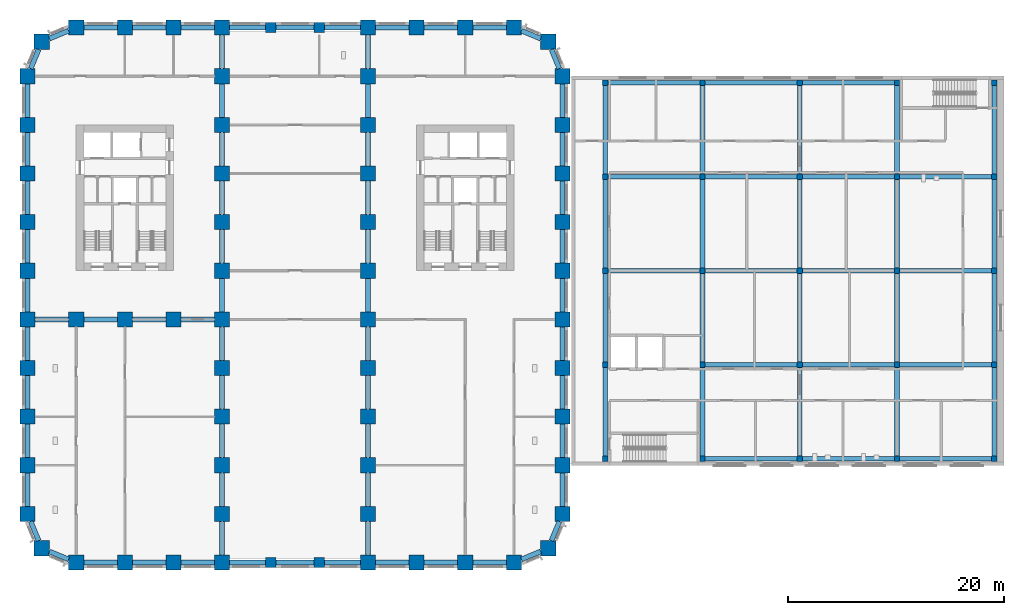
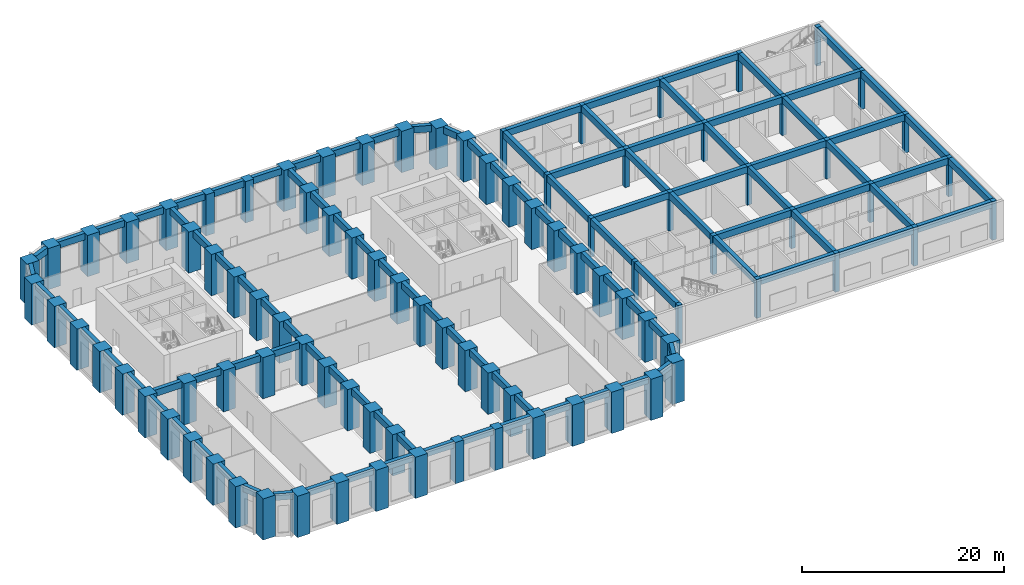
# One storey, part 1 of 19: 107 beams, 92 columns.
"""IFC4 building model written with IfcOpenShell, lengths in metres."""

import ifcopenshell
import ifcopenshell.guid

model = None  # the IFC model being written
_history = None  # IfcOwnerHistory: only IFC2X3 demands one
_inside = {}  # id of a spatial element -> (the spatial element, [elements in it])
_under = {}  # id of a project, library or spatial element -> (it, [spatial elements below it])
_declared = {}  # id of a project -> (the project, [libraries it declares])
_typed = {}  # id of a type object -> (the type object, [elements of that type])
_made_of = {}  # id of a material, layer set ... -> (it, [elements and type objects made of it])


def new_model(schema):
    """Start an empty IFC model of exactly this schema.

    Asked for "IFC4X3", IfcOpenShell would pick the latest addendum, in which some entities
    have other attributes; the version numbers below select the first issue.
    IFC2X3 requires an IfcOwnerHistory on every rooted entity: one is made here for all.
    """
    global model, _history
    if schema == "IFC4X3":
        model = ifcopenshell.file(schema_version=(4, 3, 0, 0))
    else:
        model = ifcopenshell.file(schema=schema)
    _inside.clear()
    _under.clear()
    _declared.clear()
    _typed.clear()
    _made_of.clear()
    _history = None
    if model.schema == "IFC2X3":
        org = make("IfcOrganization", Name="unknown")
        user = make(
            "IfcPersonAndOrganization",
            ThePerson=make("IfcPerson", FamilyName="unknown"),
            TheOrganization=org,
        )
        app = make(
            "IfcApplication",
            ApplicationDeveloper=org,
            Version="unknown",
            ApplicationFullName="unknown",
            ApplicationIdentifier="unknown",
        )
        _history = make(
            "IfcOwnerHistory",
            OwningUser=user,
            OwningApplication=app,
            ChangeAction="ADDED",
            CreationDate=0,
        )
    return model


def make(cls, **values):
    """One entity of the class cls with the attributes given. An attribute that is None is left unset."""
    return model.create_entity(
        cls, **{name: value for name, value in values.items() if value is not None}
    )


def rooted(cls, **values):
    """An entity with a GlobalId (a new one), such as an element, a storey or a relation."""
    return make(cls, GlobalId=ifcopenshell.guid.new(), OwnerHistory=_history, **values)


def si_unit(unit_type, name, prefix=None):
    """IfcSIUnit, for example si_unit("LENGTHUNIT", "METRE", prefix="MILLI")."""
    return make("IfcSIUnit", UnitType=unit_type, Prefix=prefix, Name=name)


def assignment(units):
    """IfcUnitAssignment: the units of a project."""
    return None if units is None else make("IfcUnitAssignment", Units=units)


def point(xyz):
    """IfcCartesianPoint."""
    return None if xyz is None else make("IfcCartesianPoint", Coordinates=xyz)


def direction(xyz):
    """IfcDirection."""
    return None if xyz is None else make("IfcDirection", DirectionRatios=xyz)


def frame(location, z_axis=None, x_axis=None):
    """IfcAxis2Placement3D, a coordinate frame: its origin and axes. An axis left out is left unset."""
    return make(
        "IfcAxis2Placement3D",
        Location=point(location),
        Axis=direction(z_axis),
        RefDirection=direction(x_axis),
    )


def frame_2d(location, x_axis=None):
    """IfcAxis2Placement2D, a coordinate frame in the plane: its origin and x axis."""
    return make(
        "IfcAxis2Placement2D", Location=point(location), RefDirection=direction(x_axis)
    )


def origin():
    """The frame at (0, 0, 0) with its axes left unset."""
    return frame((0.0, 0.0, 0.0))


def origin_2d():
    """The frame at (0, 0) in the plane with its x axis left unset."""
    return frame_2d((0.0, 0.0))


def place(relative_to, where):
    """IfcLocalPlacement: puts the frame where relative to a parent placement (None: the world)."""
    return make(
        "IfcLocalPlacement", PlacementRelTo=relative_to, RelativePlacement=where
    )


def context(
    kind, dimensions, precision=None, world=None, true_north=None, identifier=None
):
    """IfcGeometricRepresentationContext, for example the 3D "Model" context."""
    return make(
        "IfcGeometricRepresentationContext",
        ContextIdentifier=identifier,
        ContextType=kind,
        CoordinateSpaceDimension=dimensions,
        Precision=precision,
        WorldCoordinateSystem=world,
        TrueNorth=true_north,
    )


def subcontext(parent, identifier, kind, view, scale=None):
    """IfcGeometricRepresentationSubContext, for example "Body" below "Model"."""
    return make(
        "IfcGeometricRepresentationSubContext",
        ContextIdentifier=identifier,
        ContextType=kind,
        ParentContext=parent,
        TargetScale=scale,
        TargetView=view,
    )


def project(units=None, contexts=None):
    """IfcProject with its units and contexts."""
    return rooted(
        "IfcProject",
        Name="project",
        RepresentationContexts=contexts,
        UnitsInContext=assignment(units),
    )


def spatial(cls, under=None, at=None, **own):
    """A site, building, storey or space (cls), placed at a placement, below another one or the project."""
    s = rooted(cls, ObjectPlacement=at, **own)
    if under is not None:
        _under.setdefault(under.id(), (under, []))[1].append(s)
    return s


def profile(cls, at=None, kind="AREA", **sizes):
    """A parametric profile (cls). Its sizes go by their IFC names, for example OverallWidth=200.0."""
    return make(cls, ProfileType=kind, Position=at, **sizes)


def rectangle(**sizes):
    """IfcRectangleProfileDef."""
    return profile("IfcRectangleProfileDef", **sizes)


def extrude(swept, where, along, depth):
    """IfcExtrudedAreaSolid: the profile swept, set in the frame where, extruded along a direction by depth."""
    return make(
        "IfcExtrudedAreaSolid",
        SweptArea=swept,
        Position=where,
        ExtrudedDirection=direction(along),
        Depth=depth,
    )


def shape(context_of_items, identifier, shape_type, items):
    """IfcShapeRepresentation: the items that make up one representation, for example the "Body"."""
    return make(
        "IfcShapeRepresentation",
        ContextOfItems=context_of_items,
        RepresentationIdentifier=identifier,
        RepresentationType=shape_type,
        Items=items,
    )


def material(Name=None, Category=None):
    """IfcMaterial."""
    return make("IfcMaterial", Name=Name, Category=Category)


def material_profile(
    of_material, cross_section, Name=None, Category=None, Priority=None
):
    """IfcMaterialProfile: a cross section and its material."""
    return make(
        "IfcMaterialProfile",
        Name=Name,
        Material=of_material,
        Profile=cross_section,
        Priority=Priority,
        Category=Category,
    )


def profile_set(profiles, Name=None, composite=None):
    """IfcMaterialProfileSet."""
    return make(
        "IfcMaterialProfileSet",
        Name=Name,
        MaterialProfiles=profiles,
        CompositeProfile=composite,
    )


def made_of(thing, what):
    """Note that an element or type object is made of a material, layer set ...; save() writes the relation."""
    if what is not None:
        _made_of.setdefault(what.id(), (what, []))[1].append(thing)
    return thing


def type_object(cls, material=None, **own):
    """A type object (cls), such as IfcWallType, which elements share."""
    return made_of(rooted(cls, **own), material)


def element(
    cls,
    number,
    at=None,
    inside=None,
    cuts=None,
    type_object=None,
    material=None,
    context=None,
    identifier="Body",
    shape_type=None,
    held_by="IfcProductDefinitionShape",
    body=None,
    shapes=None,
    **own,
):
    """One element of the class cls, such as IfcWall. Its Tag is "e" and its number.

    at: its placement. inside: the storey or other place that contains it. cuts: it is an
    opening in that element (IfcRelVoidsElement). A single representation is given by context,
    identifier, shape_type and body (its items); several are given by shapes. held_by: the class
    of the entity that holds the representations. save() writes the other relations.
    """
    e = rooted(cls, Tag="e%d" % number, ObjectPlacement=at, **own)
    if body is not None:
        shapes = [shape(context, identifier, shape_type, body)]
    if shapes is not None:
        e.Representation = make(held_by, Representations=shapes)
    if inside is not None:
        _inside.setdefault(inside.id(), (inside, []))[1].append(e)
    if cuts is not None:
        rooted(
            "IfcRelVoidsElement", RelatingBuildingElement=cuts, RelatedOpeningElement=e
        )
    if type_object is not None:
        _typed.setdefault(type_object.id(), (type_object, []))[1].append(e)
    return made_of(e, material)


def aggregate(whole, parts):
    """IfcRelAggregates: a whole, such as a stair, and the parts it consists of."""
    return rooted("IfcRelAggregates", RelatingObject=whole, RelatedObjects=parts)


def save(model, path):
    """Write the relations noted so far, then the file.

    IfcRelAggregates (storeys below a building ...), IfcRelContainedInSpatialStructure (elements
    in a storey), IfcRelDefinesByType, IfcRelAssociatesMaterial and IfcRelDeclares: one each for
    every whole, place, type object, material and project.
    """
    for whole, parts in _under.values():
        aggregate(whole, parts)
    for where, things in _inside.values():
        rooted(
            "IfcRelContainedInSpatialStructure",
            RelatedElements=things,
            RelatingStructure=where,
        )
    for kind, things in _typed.values():
        rooted("IfcRelDefinesByType", RelatedObjects=things, RelatingType=kind)
    for what, things in _made_of.values():
        rooted("IfcRelAssociatesMaterial", RelatedObjects=things, RelatingMaterial=what)
    for by, libraries in _declared.values():
        rooted("IfcRelDeclares", RelatingContext=by, RelatedDefinitions=libraries)
    model.write(path)


model = new_model("IFC4")

# Units and contexts
model_context = context("Model", 3, precision=1e-05, world=origin(), true_north=direction((0.0, 1.0)))
body_context = subcontext(model_context, "Body", "Model", "MODEL_VIEW")
ifc_project = project(units=[si_unit("LENGTHUNIT", "METRE"), si_unit("AREAUNIT", "SQUARE_METRE"), si_unit("VOLUMEUNIT", "CUBIC_METRE"), si_unit("PLANEANGLEUNIT", "RADIAN"), si_unit("MASSUNIT", "GRAM", prefix="KILO")], contexts=[model_context])

# Site, building, storey
site_placement = place(None, origin())
site = spatial("IfcSite", under=ifc_project, at=site_placement, CompositionType="ELEMENT")
building_placement = place(site_placement, origin())
building = spatial("IfcBuilding", under=site, at=building_placement, Name="Girih Gate Residences", CompositionType="ELEMENT")
storey_placement = place(building_placement, frame((0.0, 0.0, 21.0)))
storey = spatial("IfcBuildingStorey", under=building, at=storey_placement, Name="L04", CompositionType="ELEMENT", Elevation=21.0)

# Columns
ifc_material_1 = material(Name="Concrete C50/60", Category="concrete")
ifc_material_profile_1 = material_profile(ifc_material_1, rectangle(XDim=0.5, YDim=0.5, at=origin_2d()))
ifc_profile_set_1 = profile_set([ifc_material_profile_1], Name="Concrete C50/60")
column_type_1 = type_object("IfcColumnType", Name="HC Column 500x500 C50/60", PredefinedType="COLUMN", material=ifc_profile_set_1)
for number, where, z_axis, x_axis, name in (
    (1, (53.449951171875, 9.60009765625, 0.0), (0.0, 0.0, 1.0), (1.0, 0.0, 0.0), "L04 column H1/HA"),
    (2, (53.449951171875, 18.300048828125, 0.0), (0.0, 0.0, 1.0), (1.0, 0.0, 0.0), "L04 column H1/HB"),
    (3, (53.449951171875, 27.0, 0.0), (0.0, 0.0, 1.0), (1.0, 0.0, 0.0), "L04 column H1/HC"),
    (4, (53.449951171875, 35.699951171875, 0.0), (0.0, 0.0, 1.0), (1.0, 0.0, 0.0), "L04 column H1/HD"),
    (5, (53.449951171875, 44.39990234375, 0.0), (0.0, 0.0, 1.0), (1.0, 0.0, 0.0), "L04 column H1/HE"),
    (6, (62.449951171875, 9.60009765625, 0.0), (0.0, 0.0, 1.0), (1.0, 0.0, 0.0), "L04 column H2/HA"),
    (7, (62.449951171875, 18.300048828125, 0.0), (0.0, 0.0, 1.0), (1.0, 0.0, 0.0), "L04 column H2/HB"),
    (8, (62.449951171875, 27.0, 0.0), (0.0, 0.0, 1.0), (1.0, 0.0, 0.0), "L04 column H2/HC"),
    (9, (62.449951171875, 35.699951171875, 0.0), (0.0, 0.0, 1.0), (1.0, 0.0, 0.0), "L04 column H2/HD"),
    (10, (62.449951171875, 44.39990234375, 0.0), (0.0, 0.0, 1.0), (1.0, 0.0, 0.0), "L04 column H2/HE"),
    (11, (71.449951171875, 9.60009765625, 0.0), (0.0, 0.0, 1.0), (1.0, 0.0, 0.0), "L04 column H3/HA"),
    (12, (71.449951171875, 18.300048828125, 0.0), (0.0, 0.0, 1.0), (1.0, 0.0, 0.0), "L04 column H3/HB"),
    (13, (71.449951171875, 27.0, 0.0), (0.0, 0.0, 1.0), (1.0, 0.0, 0.0), "L04 column H3/HC"),
    (14, (71.449951171875, 35.699951171875, 0.0), (0.0, 0.0, 1.0), (1.0, 0.0, 0.0), "L04 column H3/HD"),
    (15, (71.449951171875, 44.39990234375, 0.0), (0.0, 0.0, 1.0), (1.0, 0.0, 0.0), "L04 column H3/HE"),
    (16, (80.449951171875, 9.60009765625, 0.0), (0.0, 0.0, 1.0), (1.0, 0.0, 0.0), "L04 column H4/HA"),
    (17, (80.449951171875, 18.300048828125, 0.0), (0.0, 0.0, 1.0), (1.0, 0.0, 0.0), "L04 column H4/HB"),
    (18, (80.449951171875, 27.0, 0.0), (0.0, 0.0, 1.0), (1.0, 0.0, 0.0), "L04 column H4/HC"),
    (19, (80.449951171875, 35.699951171875, 0.0), (0.0, 0.0, 1.0), (1.0, 0.0, 0.0), "L04 column H4/HD"),
    (20, (80.449951171875, 44.39990234375, 0.0), (0.0, 0.0, 1.0), (1.0, 0.0, 0.0), "L04 column H4/HE"),
    (21, (89.449951171875, 9.60009765625, 0.0), (0.0, 0.0, 1.0), (1.0, 0.0, 0.0), "L04 column H5/HA"),
    (22, (89.449951171875, 18.300048828125, 0.0), (0.0, 0.0, 1.0), (1.0, 0.0, 0.0), "L04 column H5/HB"),
    (23, (89.449951171875, 27.0, 0.0), (0.0, 0.0, 1.0), (1.0, 0.0, 0.0), "L04 column H5/HC"),
    (24, (89.449951171875, 35.699951171875, 0.0), (0.0, 0.0, 1.0), (1.0, 0.0, 0.0), "L04 column H5/HD"),
    (25, (89.449951171875, 44.39990234375, 0.0), (0.0, 0.0, 1.0), (1.0, 0.0, 0.0), "L04 column H5/HE"),
):
    element("IfcColumn", number, at=place(storey_placement, frame(where, z_axis=z_axis, x_axis=x_axis)), inside=storey, type_object=column_type_1, Name=name, PredefinedType="COLUMN", context=body_context, shape_type="SweptSolid", body=[
        extrude(rectangle(XDim=0.5, YDim=0.5, at=origin_2d()), origin(), (0.0, 0.0, 1.0), 4.699951171875),
    ])
ifc_material_2 = material(Name="Concrete C80/95", Category="concrete")
ifc_material_profile_2 = material_profile(ifc_material_2, rectangle(XDim=1.39990234375, YDim=1.39990234375, at=origin_2d()))
ifc_profile_set_2 = profile_set([ifc_material_profile_2], Name="Concrete C80/95")
column_type_2 = type_object("IfcColumnType", Name="Pier RC 1400x1400 Concrete C80/95", PredefinedType="COLUMN", material=ifc_profile_set_2)
for number, where, z_axis, x_axis, name in (
    (26, (4.5, 0.0, 0.0), (0.0, 0.0, 1.0), (1.0, 0.0, 0.0), "Pier P2A L04"),
    (27, (9.0, 0.0, 0.0), (0.0, 0.0, 1.0), (1.0, 0.0, 0.0), "Pier P3A L04"),
    (28, (13.5, 0.0, 0.0), (0.0, 0.0, 1.0), (1.0, 0.0, 0.0), "Pier P4A L04"),
    (29, (18.0, 0.0, 0.0), (0.0, 0.0, 1.0), (1.0, 0.0, 0.0), "Pier P5A L04"),
    (30, (31.5, 0.0, 0.0), (0.0, 0.0, 1.0), (1.0, 0.0, 0.0), "Pier P8A L04"),
    (31, (36.0, 0.0, 0.0), (0.0, 0.0, 1.0), (1.0, 0.0, 0.0), "Pier P9A L04"),
    (32, (40.5, 0.0, 0.0), (0.0, 0.0, 1.0), (1.0, 0.0, 0.0), "Pier P10A L04"),
    (33, (45.0, 0.0, 0.0), (0.0, 0.0, 1.0), (1.0, 0.0, 0.0), "Pier P11A L04"),
    (34, (1.318115234375, 1.318115234375, 0.0), (0.0, 0.0, 1.0), (1.0, 0.0, 0.0), "Pier P1ANE L04"),
    (35, (48.181884765625, 1.318115234375, 0.0), (0.0, 0.0, 1.0), (1.0, 0.0, 0.0), "Pier P12ANW L04"),
    (36, (0.0, 4.5, 0.0), (0.0, 0.0, 1.0), (1.0, 0.0, 0.0), "Pier P1B L04"),
    (37, (18.0, 4.5, 0.0), (0.0, 0.0, 1.0), (1.0, 0.0, 0.0), "Pier P5B L04"),
    (38, (31.5, 4.5, 0.0), (0.0, 0.0, 1.0), (1.0, 0.0, 0.0), "Pier P8B L04"),
    (39, (49.5, 4.5, 0.0), (0.0, 0.0, 1.0), (1.0, 0.0, 0.0), "Pier P12B L04"),
    (40, (0.0, 9.0, 0.0), (0.0, 0.0, 1.0), (1.0, 0.0, 0.0), "Pier P1C L04"),
    (41, (18.0, 9.0, 0.0), (0.0, 0.0, 1.0), (1.0, 0.0, 0.0), "Pier P5C L04"),
    (42, (31.5, 9.0, 0.0), (0.0, 0.0, 1.0), (1.0, 0.0, 0.0), "Pier P8C L04"),
    (43, (49.5, 9.0, 0.0), (0.0, 0.0, 1.0), (1.0, 0.0, 0.0), "Pier P12C L04"),
    (44, (0.0, 13.5, 0.0), (0.0, 0.0, 1.0), (1.0, 0.0, 0.0), "Pier P1D L04"),
    (45, (18.0, 13.5, 0.0), (0.0, 0.0, 1.0), (1.0, 0.0, 0.0), "Pier P5D L04"),
    (46, (31.5, 13.5, 0.0), (0.0, 0.0, 1.0), (1.0, 0.0, 0.0), "Pier P8D L04"),
    (47, (49.5, 13.5, 0.0), (0.0, 0.0, 1.0), (1.0, 0.0, 0.0), "Pier P12D L04"),
    (48, (0.0, 18.0, 0.0), (0.0, 0.0, 1.0), (1.0, 0.0, 0.0), "Pier P1E L04"),
    (49, (18.0, 18.0, 0.0), (0.0, 0.0, 1.0), (1.0, 0.0, 0.0), "Pier P5E L04"),
    (50, (31.5, 18.0, 0.0), (0.0, 0.0, 1.0), (1.0, 0.0, 0.0), "Pier P8E L04"),
    (51, (49.5, 18.0, 0.0), (0.0, 0.0, 1.0), (1.0, 0.0, 0.0), "Pier P12E L04"),
    (52, (0.0, 22.5, 0.0), (0.0, 0.0, 1.0), (1.0, 0.0, 0.0), "Pier P1F L04"),
    (53, (4.5, 22.5, 0.0), (0.0, 0.0, 1.0), (1.0, 0.0, 0.0), "Pier P2F L04"),
    (54, (9.0, 22.5, 0.0), (0.0, 0.0, 1.0), (1.0, 0.0, 0.0), "Pier P3F L04"),
    (55, (13.5, 22.5, 0.0), (0.0, 0.0, 1.0), (1.0, 0.0, 0.0), "Pier P4F L04"),
    (56, (18.0, 22.5, 0.0), (0.0, 0.0, 1.0), (1.0, 0.0, 0.0), "Pier P5F L04"),
    (57, (31.5, 22.5, 0.0), (0.0, 0.0, 1.0), (1.0, 0.0, 0.0), "Pier P8F L04"),
    (58, (49.5, 22.5, 0.0), (0.0, 0.0, 1.0), (1.0, 0.0, 0.0), "Pier P12F L04"),
    (59, (0.0, 27.0, 0.0), (0.0, 0.0, 1.0), (1.0, 0.0, 0.0), "Pier P1G L04"),
    (60, (18.0, 27.0, 0.0), (0.0, 0.0, 1.0), (1.0, 0.0, 0.0), "Pier P5G L04"),
    (61, (31.5, 27.0, 0.0), (0.0, 0.0, 1.0), (1.0, 0.0, 0.0), "Pier P8G L04"),
    (62, (49.5, 27.0, 0.0), (0.0, 0.0, 1.0), (1.0, 0.0, 0.0), "Pier P12G L04"),
    (63, (0.0, 31.5, 0.0), (0.0, 0.0, 1.0), (1.0, 0.0, 0.0), "Pier P1H L04"),
    (64, (18.0, 31.5, 0.0), (0.0, 0.0, 1.0), (1.0, 0.0, 0.0), "Pier P5H L04"),
    (65, (31.5, 31.5, 0.0), (0.0, 0.0, 1.0), (1.0, 0.0, 0.0), "Pier P8H L04"),
    (66, (49.5, 31.5, 0.0), (0.0, 0.0, 1.0), (1.0, 0.0, 0.0), "Pier P12H L04"),
    (67, (0.0, 36.0, 0.0), (0.0, 0.0, 1.0), (1.0, 0.0, 0.0), "Pier P1I L04"),
    (68, (18.0, 36.0, 0.0), (0.0, 0.0, 1.0), (1.0, 0.0, 0.0), "Pier P5I L04"),
    (69, (31.5, 36.0, 0.0), (0.0, 0.0, 1.0), (1.0, 0.0, 0.0), "Pier P8I L04"),
    (70, (49.5, 36.0, 0.0), (0.0, 0.0, 1.0), (1.0, 0.0, 0.0), "Pier P12I L04"),
    (71, (0.0, 40.5, 0.0), (0.0, 0.0, 1.0), (1.0, 0.0, 0.0), "Pier P1J L04"),
    (72, (18.0, 40.5, 0.0), (0.0, 0.0, 1.0), (1.0, 0.0, 0.0), "Pier P5J L04"),
    (73, (31.5, 40.5, 0.0), (0.0, 0.0, 1.0), (1.0, 0.0, 0.0), "Pier P8J L04"),
    (74, (49.5, 40.5, 0.0), (0.0, 0.0, 1.0), (1.0, 0.0, 0.0), "Pier P12J L04"),
    (75, (0.0, 45.0, 0.0), (0.0, 0.0, 1.0), (1.0, 0.0, 0.0), "Pier P1K L04"),
    (76, (18.0, 45.0, 0.0), (0.0, 0.0, 1.0), (1.0, 0.0, 0.0), "Pier P5K L04"),
    (77, (31.5, 45.0, 0.0), (0.0, 0.0, 1.0), (1.0, 0.0, 0.0), "Pier P8K L04"),
    (78, (49.5, 45.0, 0.0), (0.0, 0.0, 1.0), (1.0, 0.0, 0.0), "Pier P12K L04"),
    (79, (1.318115234375, 48.181884765625, 0.0), (0.0, 0.0, 1.0), (1.0, 0.0, 0.0), "Pier P1LSE L04"),
    (80, (48.181884765625, 48.181884765625, 0.0), (0.0, 0.0, 1.0), (1.0, 0.0, 0.0), "Pier P12LSW L04"),
    (81, (4.5, 49.5, 0.0), (0.0, 0.0, 1.0), (1.0, 0.0, 0.0), "Pier P2L L04"),
    (82, (9.0, 49.5, 0.0), (0.0, 0.0, 1.0), (1.0, 0.0, 0.0), "Pier P3L L04"),
    (83, (13.5, 49.5, 0.0), (0.0, 0.0, 1.0), (1.0, 0.0, 0.0), "Pier P4L L04"),
    (84, (18.0, 49.5, 0.0), (0.0, 0.0, 1.0), (1.0, 0.0, 0.0), "Pier P5L L04"),
    (85, (31.5, 49.5, 0.0), (0.0, 0.0, 1.0), (1.0, 0.0, 0.0), "Pier P8L L04"),
    (86, (36.0, 49.5, 0.0), (0.0, 0.0, 1.0), (1.0, 0.0, 0.0), "Pier P9L L04"),
    (87, (40.5, 49.5, 0.0), (0.0, 0.0, 1.0), (1.0, 0.0, 0.0), "Pier P10L L04"),
    (88, (45.0, 49.5, 0.0), (0.0, 0.0, 1.0), (1.0, 0.0, 0.0), "Pier P11L L04"),
):
    element("IfcColumn", number, at=place(storey_placement, frame(where, z_axis=z_axis, x_axis=x_axis)), inside=storey, type_object=column_type_2, Name=name, PredefinedType="COLUMN", context=body_context, shape_type="SweptSolid", body=[
        extrude(rectangle(XDim=1.39990234375, YDim=1.39990234375, at=origin_2d()), origin(), (0.0, 0.0, 1.0), 5.0),
    ])
ifc_material_profile_3 = material_profile(ifc_material_2, rectangle(XDim=0.949951171875, YDim=0.949951171875, at=origin_2d()))
ifc_profile_set_3 = profile_set([ifc_material_profile_3], Name="Concrete C80/95")
column_type_3 = type_object("IfcColumnType", Name="Transfer column RC 950x950 Concrete C80/95", PredefinedType="COLUMN", material=ifc_profile_set_3)
for number, where, z_axis, x_axis, name in (
    (89, (22.5, 0.0, 0.0), (0.0, 0.0, 1.0), (1.0, 0.0, 0.0), "Transfer column TC-P6A L04"),
    (90, (27.0, 0.0, 0.0), (0.0, 0.0, 1.0), (1.0, 0.0, 0.0), "Transfer column TC-P7A L04"),
    (91, (22.5, 49.5, 0.0), (0.0, 0.0, 1.0), (1.0, 0.0, 0.0), "Transfer column TC-P6L L04"),
    (92, (27.0, 49.5, 0.0), (0.0, 0.0, 1.0), (1.0, 0.0, 0.0), "Transfer column TC-P7L L04"),
):
    element("IfcColumn", number, at=place(storey_placement, frame(where, z_axis=z_axis, x_axis=x_axis)), inside=storey, type_object=column_type_3, Name=name, PredefinedType="COLUMN", context=body_context, shape_type="SweptSolid", body=[
        extrude(rectangle(XDim=0.949951171875, YDim=0.949951171875, at=origin_2d()), origin(), (0.0, 0.0, 1.0), 5.0),
    ])

# Beams
ifc_material_3 = material(Name="Concrete C40/50", Category="concrete")
ifc_material_profile_4 = material_profile(ifc_material_3, rectangle(XDim=0.449951171875, YDim=0.800048828125, at=origin_2d()))
ifc_profile_set_4 = profile_set([ifc_material_profile_4], Name="Concrete C40/50")
beam_type_1 = type_object("IfcBeamType", Name="HC Beam 450x800 C40/50", PredefinedType="BEAM", material=ifc_profile_set_4)
for number, where, z_axis, x_axis, name in (
    (93, (62.699951171875, 9.60009765625, 4.300048828125), (1.0, 0.0, 0.0), (0.0, 1.0, 0.0), "L04 beam HA.2"),
    (94, (71.699951171875, 9.60009765625, 4.300048828125), (1.0, 0.0, 0.0), (0.0, 1.0, 0.0), "L04 beam HA.3"),
    (95, (80.699951171875, 9.60009765625, 4.300048828125), (1.0, 0.0, 0.0), (0.0, 1.0, 0.0), "L04 beam HA.4"),
    (96, (62.699951171875, 18.300048828125, 4.300048828125), (1.0, 0.0, 0.0), (0.0, 1.0, 0.0), "L04 beam HB.2"),
    (97, (71.699951171875, 18.300048828125, 4.300048828125), (1.0, 0.0, 0.0), (0.0, 1.0, 0.0), "L04 beam HB.3"),
    (98, (80.699951171875, 18.300048828125, 4.300048828125), (1.0, 0.0, 0.0), (0.0, 1.0, 0.0), "L04 beam HB.4"),
    (99, (53.699951171875, 27.0, 4.300048828125), (1.0, 0.0, 0.0), (0.0, 1.0, 0.0), "L04 beam HC.1"),
    (100, (62.699951171875, 27.0, 4.300048828125), (1.0, 0.0, 0.0), (0.0, 1.0, 0.0), "L04 beam HC.2"),
    (101, (71.699951171875, 27.0, 4.300048828125), (1.0, 0.0, 0.0), (0.0, 1.0, 0.0), "L04 beam HC.3"),
    (102, (80.699951171875, 27.0, 4.300048828125), (1.0, 0.0, 0.0), (0.0, 1.0, 0.0), "L04 beam HC.4"),
    (103, (53.699951171875, 35.699951171875, 4.300048828125), (1.0, 0.0, 0.0), (0.0, 1.0, 0.0), "L04 beam HD.1"),
    (104, (62.699951171875, 35.699951171875, 4.300048828125), (1.0, 0.0, 0.0), (0.0, 1.0, 0.0), "L04 beam HD.2"),
    (105, (71.699951171875, 35.699951171875, 4.300048828125), (1.0, 0.0, 0.0), (0.0, 1.0, 0.0), "L04 beam HD.3"),
    (106, (80.699951171875, 35.699951171875, 4.300048828125), (1.0, 0.0, 0.0), (0.0, 1.0, 0.0), "L04 beam HD.4"),
    (107, (53.699951171875, 44.39990234375, 4.300048828125), (1.0, 0.0, 0.0), (0.0, 1.0, 0.0), "L04 beam HE.1"),
    (108, (62.699951171875, 44.39990234375, 4.300048828125), (1.0, 0.0, 0.0), (0.0, 1.0, 0.0), "L04 beam HE.2"),
    (109, (71.699951171875, 44.39990234375, 4.300048828125), (1.0, 0.0, 0.0), (0.0, 1.0, 0.0), "L04 beam HE.3"),
):
    element("IfcBeam", number, at=place(storey_placement, frame(where, z_axis=z_axis, x_axis=x_axis)), inside=storey, type_object=beam_type_1, Name=name, PredefinedType="BEAM", context=body_context, shape_type="SweptSolid", body=[
        extrude(rectangle(XDim=0.449951171875, YDim=0.800048828125, at=origin_2d()), origin(), (0.0, 0.0, 1.0), 8.5),
    ])
for number, where, z_axis, x_axis, name in (
    (110, (53.449951171875, 9.85009765625, 4.300048828125), (0.0, 1.0, 0.0), (-1.0, 0.0, 0.0), "L04 beam H1.1"),
    (111, (53.449951171875, 18.550048828125, 4.300048828125), (0.0, 1.0, 0.0), (-1.0, 0.0, 0.0), "L04 beam H1.2"),
    (112, (53.449951171875, 27.25, 4.300048828125), (0.0, 1.0, 0.0), (-1.0, 0.0, 0.0), "L04 beam H1.3"),
    (113, (53.449951171875, 35.949951171875, 4.300048828125), (0.0, 1.0, 0.0), (-1.0, 0.0, 0.0), "L04 beam H1.4"),
    (114, (62.449951171875, 9.85009765625, 4.300048828125), (0.0, 1.0, 0.0), (-1.0, 0.0, 0.0), "L04 beam H2.1"),
    (115, (62.449951171875, 18.550048828125, 4.300048828125), (0.0, 1.0, 0.0), (-1.0, 0.0, 0.0), "L04 beam H2.2"),
    (116, (62.449951171875, 27.25, 4.300048828125), (0.0, 1.0, 0.0), (-1.0, 0.0, 0.0), "L04 beam H2.3"),
    (117, (62.449951171875, 35.949951171875, 4.300048828125), (0.0, 1.0, 0.0), (-1.0, 0.0, 0.0), "L04 beam H2.4"),
    (118, (71.449951171875, 9.85009765625, 4.300048828125), (0.0, 1.0, 0.0), (-1.0, 0.0, 0.0), "L04 beam H3.1"),
    (119, (71.449951171875, 18.550048828125, 4.300048828125), (0.0, 1.0, 0.0), (-1.0, 0.0, 0.0), "L04 beam H3.2"),
    (120, (71.449951171875, 27.25, 4.300048828125), (0.0, 1.0, 0.0), (-1.0, 0.0, 0.0), "L04 beam H3.3"),
    (121, (71.449951171875, 35.949951171875, 4.300048828125), (0.0, 1.0, 0.0), (-1.0, 0.0, 0.0), "L04 beam H3.4"),
    (122, (80.449951171875, 9.85009765625, 4.300048828125), (0.0, 1.0, 0.0), (-1.0, 0.0, 0.0), "L04 beam H4.1"),
    (123, (80.449951171875, 18.550048828125, 4.300048828125), (0.0, 1.0, 0.0), (-1.0, 0.0, 0.0), "L04 beam H4.2"),
    (124, (80.449951171875, 27.25, 4.300048828125), (0.0, 1.0, 0.0), (-1.0, 0.0, 0.0), "L04 beam H4.3"),
    (125, (80.449951171875, 35.949951171875, 4.300048828125), (0.0, 1.0, 0.0), (-1.0, 0.0, 0.0), "L04 beam H4.4"),
    (126, (89.449951171875, 9.85009765625, 4.300048828125), (0.0, 1.0, 0.0), (-1.0, 0.0, 0.0), "L04 beam H5.1"),
    (127, (89.449951171875, 18.550048828125, 4.300048828125), (0.0, 1.0, 0.0), (-1.0, 0.0, 0.0), "L04 beam H5.2"),
    (128, (89.449951171875, 27.25, 4.300048828125), (0.0, 1.0, 0.0), (-1.0, 0.0, 0.0), "L04 beam H5.3"),
    (129, (89.449951171875, 35.949951171875, 4.300048828125), (0.0, 1.0, 0.0), (-1.0, 0.0, 0.0), "L04 beam H5.4"),
):
    element("IfcBeam", number, at=place(storey_placement, frame(where, z_axis=z_axis, x_axis=x_axis)), inside=storey, type_object=beam_type_1, Name=name, PredefinedType="BEAM", context=body_context, shape_type="SweptSolid", body=[
        extrude(rectangle(XDim=0.449951171875, YDim=0.800048828125, at=origin_2d()), origin(), (0.0, 0.0, 1.0), 8.199951171875),
    ])
ifc_material_4 = material(Name="Concrete C60/75", Category="concrete")
ifc_material_profile_5 = material_profile(ifc_material_4, rectangle(XDim=0.449951171875, YDim=0.800048828125, at=origin_2d()))
ifc_profile_set_5 = profile_set([ifc_material_profile_5], Name="Concrete C60/75")
beam_type_2 = type_object("IfcBeamType", Name="Spandrel girder RC 450x800 Concrete C60/75", PredefinedType="BEAM", material=ifc_profile_set_5)
for number, where, z_axis, x_axis, name in (
    (130, (0.2900390625, 3.800048828125, 4.60009765625), (0.382646180293, -0.923894961945, 0.0), (0.923894961945, 0.382646180293, 0.0), "Spandrel girder SP-P1B-P1ANE L04"),
    (131, (2.01806640625, 1.028076171875, 4.60009765625), (0.923894961945, -0.382646180293, 0.0), (0.382646180293, 0.923894961945, 0.0), "Spandrel girder SP-P1ANE-P2A L04"),
):
    element("IfcBeam", number, at=place(storey_placement, frame(where, z_axis=z_axis, x_axis=x_axis)), inside=storey, type_object=beam_type_2, Name=name, PredefinedType="BEAM", context=body_context, shape_type="SweptSolid", body=[
        extrude(rectangle(XDim=0.449951171875, YDim=0.800048828125, at=origin_2d()), origin(), (0.0, 0.0, 1.0), 1.9287109375),
    ])
for number, where, z_axis, x_axis, name in (
    (132, (5.199951171875, 0.0, 4.60009765625), (1.0, 0.0, 0.0), (0.0, 1.0, 0.0), "Spandrel girder SP-P2A-P3A L04"),
    (133, (9.699951171875, 0.0, 4.60009765625), (1.0, 0.0, 0.0), (0.0, 1.0, 0.0), "Spandrel girder SP-P3A-P4A L04"),
    (134, (14.199951171875, 0.0, 4.60009765625), (1.0, 0.0, 0.0), (0.0, 1.0, 0.0), "Spandrel girder SP-P4A-P5A L04"),
):
    element("IfcBeam", number, at=place(storey_placement, frame(where, z_axis=z_axis, x_axis=x_axis)), inside=storey, type_object=beam_type_2, Name=name, PredefinedType="BEAM", context=body_context, shape_type="SweptSolid", body=[
        extrude(rectangle(XDim=0.449951171875, YDim=0.800048828125, at=origin_2d()), origin(), (0.0, 0.0, 1.0), 3.10009765625),
    ])
beam_1_placement = place(storey_placement, frame((18.699951171875, 0.0, 4.60009765625), z_axis=(1.0, 0.0, 0.0), x_axis=(0.0, 1.0, 0.0)))
element("IfcBeam", 135, at=beam_1_placement, inside=storey, type_object=beam_type_2, Name="Spandrel girder SP-P5A-P6A L04", PredefinedType="BEAM", context=body_context, shape_type="SweptSolid", body=[
    extrude(rectangle(XDim=0.449951171875, YDim=0.800048828125, at=origin_2d()), origin(), (0.0, 0.0, 1.0), 3.324951171875),
])
beam_2_placement = place(storey_placement, frame((22.97509765625, 0.0, 4.60009765625), z_axis=(1.0, 0.0, 0.0), x_axis=(0.0, 1.0, 0.0)))
element("IfcBeam", 136, at=beam_2_placement, inside=storey, type_object=beam_type_2, Name="Spandrel girder SP-P6A-P7A L04", PredefinedType="BEAM", context=body_context, shape_type="SweptSolid", body=[
    extrude(rectangle(XDim=0.449951171875, YDim=0.800048828125, at=origin_2d()), origin(), (0.0, 0.0, 1.0), 3.5498046875),
])
beam_3_placement = place(storey_placement, frame((27.47509765625, 0.0, 4.60009765625), z_axis=(1.0, 0.0, 0.0), x_axis=(0.0, 1.0, 0.0)))
element("IfcBeam", 137, at=beam_3_placement, inside=storey, type_object=beam_type_2, Name="Spandrel girder SP-P7A-P8A L04", PredefinedType="BEAM", context=body_context, shape_type="SweptSolid", body=[
    extrude(rectangle(XDim=0.449951171875, YDim=0.800048828125, at=origin_2d()), origin(), (0.0, 0.0, 1.0), 3.324951171875),
])
for number, where, z_axis, x_axis, name in (
    (138, (32.199951171875, 0.0, 4.60009765625), (1.0, 0.0, 0.0), (0.0, 1.0, 0.0), "Spandrel girder SP-P8A-P9A L04"),
    (139, (36.699951171875, 0.0, 4.60009765625), (1.0, 0.0, 0.0), (0.0, 1.0, 0.0), "Spandrel girder SP-P9A-P10A L04"),
    (140, (41.199951171875, 0.0, 4.60009765625), (1.0, 0.0, 0.0), (0.0, 1.0, 0.0), "Spandrel girder SP-P10A-P11A L04"),
):
    element("IfcBeam", number, at=place(storey_placement, frame(where, z_axis=z_axis, x_axis=x_axis)), inside=storey, type_object=beam_type_2, Name=name, PredefinedType="BEAM", context=body_context, shape_type="SweptSolid", body=[
        extrude(rectangle(XDim=0.449951171875, YDim=0.800048828125, at=origin_2d()), origin(), (0.0, 0.0, 1.0), 3.10009765625),
    ])
for number, where, z_axis, x_axis, name in (
    (141, (45.699951171875, 0.2900390625, 4.60009765625), (0.923894961945, 0.382646180293, 0.0), (-0.382646180293, 0.923894961945, 0.0), "Spandrel girder SP-P11A-P12ANW L04"),
    (142, (48.471923828125, 2.01806640625, 4.60009765625), (0.382646180293, 0.923894961945, 0.0), (-0.923894961945, 0.382646180293, 0.0), "Spandrel girder SP-P12ANW-P12B L04"),
):
    element("IfcBeam", number, at=place(storey_placement, frame(where, z_axis=z_axis, x_axis=x_axis)), inside=storey, type_object=beam_type_2, Name=name, PredefinedType="BEAM", context=body_context, shape_type="SweptSolid", body=[
        extrude(rectangle(XDim=0.449951171875, YDim=0.800048828125, at=origin_2d()), origin(), (0.0, 0.0, 1.0), 1.9287109375),
    ])
for number, where, z_axis, x_axis, name in (
    (143, (49.5, 5.199951171875, 4.60009765625), (0.0, 1.0, 0.0), (-1.0, 0.0, 0.0), "Spandrel girder SP-P12B-P12C L04"),
    (144, (49.5, 9.699951171875, 4.60009765625), (0.0, 1.0, 0.0), (-1.0, 0.0, 0.0), "Spandrel girder SP-P12C-P12D L04"),
    (145, (49.5, 14.199951171875, 4.60009765625), (0.0, 1.0, 0.0), (-1.0, 0.0, 0.0), "Spandrel girder SP-P12D-P12E L04"),
    (146, (49.5, 18.699951171875, 4.60009765625), (0.0, 1.0, 0.0), (-1.0, 0.0, 0.0), "Spandrel girder SP-P12E-P12F L04"),
    (147, (49.5, 23.199951171875, 4.60009765625), (0.0, 1.0, 0.0), (-1.0, 0.0, 0.0), "Spandrel girder SP-P12F-P12G L04"),
    (148, (49.5, 27.699951171875, 4.60009765625), (0.0, 1.0, 0.0), (-1.0, 0.0, 0.0), "Spandrel girder SP-P12G-P12H L04"),
    (149, (49.5, 32.199951171875, 4.60009765625), (0.0, 1.0, 0.0), (-1.0, 0.0, 0.0), "Spandrel girder SP-P12H-P12I L04"),
    (150, (49.5, 36.699951171875, 4.60009765625), (0.0, 1.0, 0.0), (-1.0, 0.0, 0.0), "Spandrel girder SP-P12I-P12J L04"),
    (151, (49.5, 41.199951171875, 4.60009765625), (0.0, 1.0, 0.0), (-1.0, 0.0, 0.0), "Spandrel girder SP-P12J-P12K L04"),
):
    element("IfcBeam", number, at=place(storey_placement, frame(where, z_axis=z_axis, x_axis=x_axis)), inside=storey, type_object=beam_type_2, Name=name, PredefinedType="BEAM", context=body_context, shape_type="SweptSolid", body=[
        extrude(rectangle(XDim=0.449951171875, YDim=0.800048828125, at=origin_2d()), origin(), (0.0, 0.0, 1.0), 3.10009765625),
    ])
for number, where, z_axis, x_axis, name in (
    (152, (49.2099609375, 45.699951171875, 4.60009765625), (-0.382646180293, 0.923894961945, 0.0), (-0.923894961945, -0.382646180293, 0.0), "Spandrel girder SP-P12K-P12LSW L04"),
    (153, (47.48193359375, 48.471923828125, 4.60009765625), (-0.923894961945, 0.382646180293, 0.0), (-0.382646180293, -0.923894961945, 0.0), "Spandrel girder SP-P12LSW-P11L L04"),
):
    element("IfcBeam", number, at=place(storey_placement, frame(where, z_axis=z_axis, x_axis=x_axis)), inside=storey, type_object=beam_type_2, Name=name, PredefinedType="BEAM", context=body_context, shape_type="SweptSolid", body=[
        extrude(rectangle(XDim=0.449951171875, YDim=0.800048828125, at=origin_2d()), origin(), (0.0, 0.0, 1.0), 1.9287109375),
    ])
for number, where, z_axis, x_axis, name in (
    (154, (44.300048828125, 49.5, 4.60009765625), (-1.0, 0.0, 0.0), (0.0, -1.0, 0.0), "Spandrel girder SP-P11L-P10L L04"),
    (155, (39.800048828125, 49.5, 4.60009765625), (-1.0, 0.0, 0.0), (0.0, -1.0, 0.0), "Spandrel girder SP-P10L-P9L L04"),
    (156, (35.300048828125, 49.5, 4.60009765625), (-1.0, 0.0, 0.0), (0.0, -1.0, 0.0), "Spandrel girder SP-P9L-P8L L04"),
):
    element("IfcBeam", number, at=place(storey_placement, frame(where, z_axis=z_axis, x_axis=x_axis)), inside=storey, type_object=beam_type_2, Name=name, PredefinedType="BEAM", context=body_context, shape_type="SweptSolid", body=[
        extrude(rectangle(XDim=0.449951171875, YDim=0.800048828125, at=origin_2d()), origin(), (0.0, 0.0, 1.0), 3.10009765625),
    ])
beam_4_placement = place(storey_placement, frame((30.800048828125, 49.5, 4.60009765625), z_axis=(-1.0, 0.0, 0.0), x_axis=(0.0, -1.0, 0.0)))
element("IfcBeam", 157, at=beam_4_placement, inside=storey, type_object=beam_type_2, Name="Spandrel girder SP-P8L-P7L L04", PredefinedType="BEAM", context=body_context, shape_type="SweptSolid", body=[
    extrude(rectangle(XDim=0.449951171875, YDim=0.800048828125, at=origin_2d()), origin(), (0.0, 0.0, 1.0), 3.324951171875),
])
beam_5_placement = place(storey_placement, frame((26.52490234375, 49.5, 4.60009765625), z_axis=(-1.0, 0.0, 0.0), x_axis=(0.0, -1.0, 0.0)))
element("IfcBeam", 158, at=beam_5_placement, inside=storey, type_object=beam_type_2, Name="Spandrel girder SP-P7L-P6L L04", PredefinedType="BEAM", context=body_context, shape_type="SweptSolid", body=[
    extrude(rectangle(XDim=0.449951171875, YDim=0.800048828125, at=origin_2d()), origin(), (0.0, 0.0, 1.0), 3.5498046875),
])
beam_6_placement = place(storey_placement, frame((22.02490234375, 49.5, 4.60009765625), z_axis=(-1.0, 0.0, 0.0), x_axis=(0.0, -1.0, 0.0)))
element("IfcBeam", 159, at=beam_6_placement, inside=storey, type_object=beam_type_2, Name="Spandrel girder SP-P6L-P5L L04", PredefinedType="BEAM", context=body_context, shape_type="SweptSolid", body=[
    extrude(rectangle(XDim=0.449951171875, YDim=0.800048828125, at=origin_2d()), origin(), (0.0, 0.0, 1.0), 3.324951171875),
])
for number, where, z_axis, x_axis, name in (
    (160, (17.300048828125, 49.5, 4.60009765625), (-1.0, 0.0, 0.0), (0.0, -1.0, 0.0), "Spandrel girder SP-P5L-P4L L04"),
    (161, (12.800048828125, 49.5, 4.60009765625), (-1.0, 0.0, 0.0), (0.0, -1.0, 0.0), "Spandrel girder SP-P4L-P3L L04"),
    (162, (8.300048828125, 49.5, 4.60009765625), (-1.0, 0.0, 0.0), (0.0, -1.0, 0.0), "Spandrel girder SP-P3L-P2L L04"),
):
    element("IfcBeam", number, at=place(storey_placement, frame(where, z_axis=z_axis, x_axis=x_axis)), inside=storey, type_object=beam_type_2, Name=name, PredefinedType="BEAM", context=body_context, shape_type="SweptSolid", body=[
        extrude(rectangle(XDim=0.449951171875, YDim=0.800048828125, at=origin_2d()), origin(), (0.0, 0.0, 1.0), 3.10009765625),
    ])
for number, where, z_axis, x_axis, name in (
    (163, (3.800048828125, 49.2099609375, 4.60009765625), (-0.923894961945, -0.382646180293, 0.0), (0.382646180293, -0.923894961945, 0.0), "Spandrel girder SP-P2L-P1LSE L04"),
    (164, (1.028076171875, 47.48193359375, 4.60009765625), (-0.382646180293, -0.923894961945, 0.0), (0.923894961945, -0.382646180293, 0.0), "Spandrel girder SP-P1LSE-P1K L04"),
):
    element("IfcBeam", number, at=place(storey_placement, frame(where, z_axis=z_axis, x_axis=x_axis)), inside=storey, type_object=beam_type_2, Name=name, PredefinedType="BEAM", context=body_context, shape_type="SweptSolid", body=[
        extrude(rectangle(XDim=0.449951171875, YDim=0.800048828125, at=origin_2d()), origin(), (0.0, 0.0, 1.0), 1.9287109375),
    ])
for number, where, z_axis, x_axis, name in (
    (165, (0.0, 44.300048828125, 4.60009765625), (0.0, -1.0, 0.0), (1.0, 0.0, 0.0), "Spandrel girder SP-P1K-P1J L04"),
    (166, (0.0, 39.800048828125, 4.60009765625), (0.0, -1.0, 0.0), (1.0, 0.0, 0.0), "Spandrel girder SP-P1J-P1I L04"),
    (167, (0.0, 35.300048828125, 4.60009765625), (0.0, -1.0, 0.0), (1.0, 0.0, 0.0), "Spandrel girder SP-P1I-P1H L04"),
    (168, (0.0, 30.800048828125, 4.60009765625), (0.0, -1.0, 0.0), (1.0, 0.0, 0.0), "Spandrel girder SP-P1H-P1G L04"),
    (169, (0.0, 26.300048828125, 4.60009765625), (0.0, -1.0, 0.0), (1.0, 0.0, 0.0), "Spandrel girder SP-P1G-P1F L04"),
    (170, (0.0, 21.800048828125, 4.60009765625), (0.0, -1.0, 0.0), (1.0, 0.0, 0.0), "Spandrel girder SP-P1F-P1E L04"),
    (171, (0.0, 17.300048828125, 4.60009765625), (0.0, -1.0, 0.0), (1.0, 0.0, 0.0), "Spandrel girder SP-P1E-P1D L04"),
    (172, (0.0, 12.800048828125, 4.60009765625), (0.0, -1.0, 0.0), (1.0, 0.0, 0.0), "Spandrel girder SP-P1D-P1C L04"),
    (173, (0.0, 8.300048828125, 4.60009765625), (0.0, -1.0, 0.0), (1.0, 0.0, 0.0), "Spandrel girder SP-P1C-P1B L04"),
    (174, (18.0, 0.699951171875, 4.60009765625), (0.0, 1.0, 0.0), (-1.0, 0.0, 0.0), "Spandrel girder SP-P5A-P5B L04"),
    (175, (18.0, 5.199951171875, 4.60009765625), (0.0, 1.0, 0.0), (-1.0, 0.0, 0.0), "Spandrel girder SP-P5B-P5C L04"),
    (176, (18.0, 9.699951171875, 4.60009765625), (0.0, 1.0, 0.0), (-1.0, 0.0, 0.0), "Spandrel girder SP-P5C-P5D L04"),
    (177, (18.0, 14.199951171875, 4.60009765625), (0.0, 1.0, 0.0), (-1.0, 0.0, 0.0), "Spandrel girder SP-P5D-P5E L04"),
    (178, (18.0, 18.699951171875, 4.60009765625), (0.0, 1.0, 0.0), (-1.0, 0.0, 0.0), "Spandrel girder SP-P5E-P5F L04"),
    (179, (18.0, 23.199951171875, 4.60009765625), (0.0, 1.0, 0.0), (-1.0, 0.0, 0.0), "Spandrel girder SP-P5F-P5G L04"),
    (180, (18.0, 27.699951171875, 4.60009765625), (0.0, 1.0, 0.0), (-1.0, 0.0, 0.0), "Spandrel girder SP-P5G-P5H L04"),
    (181, (18.0, 32.199951171875, 4.60009765625), (0.0, 1.0, 0.0), (-1.0, 0.0, 0.0), "Spandrel girder SP-P5H-P5I L04"),
    (182, (18.0, 36.699951171875, 4.60009765625), (0.0, 1.0, 0.0), (-1.0, 0.0, 0.0), "Spandrel girder SP-P5I-P5J L04"),
    (183, (18.0, 41.199951171875, 4.60009765625), (0.0, 1.0, 0.0), (-1.0, 0.0, 0.0), "Spandrel girder SP-P5J-P5K L04"),
    (184, (18.0, 45.699951171875, 4.60009765625), (0.0, 1.0, 0.0), (-1.0, 0.0, 0.0), "Spandrel girder SP-P5K-P5L L04"),
    (185, (31.5, 0.699951171875, 4.60009765625), (0.0, 1.0, 0.0), (-1.0, 0.0, 0.0), "Spandrel girder SP-P8A-P8B L04"),
    (186, (31.5, 5.199951171875, 4.60009765625), (0.0, 1.0, 0.0), (-1.0, 0.0, 0.0), "Spandrel girder SP-P8B-P8C L04"),
    (187, (31.5, 9.699951171875, 4.60009765625), (0.0, 1.0, 0.0), (-1.0, 0.0, 0.0), "Spandrel girder SP-P8C-P8D L04"),
    (188, (31.5, 14.199951171875, 4.60009765625), (0.0, 1.0, 0.0), (-1.0, 0.0, 0.0), "Spandrel girder SP-P8D-P8E L04"),
    (189, (31.5, 18.699951171875, 4.60009765625), (0.0, 1.0, 0.0), (-1.0, 0.0, 0.0), "Spandrel girder SP-P8E-P8F L04"),
    (190, (31.5, 23.199951171875, 4.60009765625), (0.0, 1.0, 0.0), (-1.0, 0.0, 0.0), "Spandrel girder SP-P8F-P8G L04"),
    (191, (31.5, 27.699951171875, 4.60009765625), (0.0, 1.0, 0.0), (-1.0, 0.0, 0.0), "Spandrel girder SP-P8G-P8H L04"),
    (192, (31.5, 32.199951171875, 4.60009765625), (0.0, 1.0, 0.0), (-1.0, 0.0, 0.0), "Spandrel girder SP-P8H-P8I L04"),
    (193, (31.5, 36.699951171875, 4.60009765625), (0.0, 1.0, 0.0), (-1.0, 0.0, 0.0), "Spandrel girder SP-P8I-P8J L04"),
    (194, (31.5, 41.199951171875, 4.60009765625), (0.0, 1.0, 0.0), (-1.0, 0.0, 0.0), "Spandrel girder SP-P8J-P8K L04"),
    (195, (31.5, 45.699951171875, 4.60009765625), (0.0, 1.0, 0.0), (-1.0, 0.0, 0.0), "Spandrel girder SP-P8K-P8L L04"),
    (196, (0.699951171875, 22.5, 4.60009765625), (1.0, 0.0, 0.0), (0.0, 1.0, 0.0), "Spandrel girder SP-P1F-P2F L04"),
    (197, (5.199951171875, 22.5, 4.60009765625), (1.0, 0.0, 0.0), (0.0, 1.0, 0.0), "Spandrel girder SP-P2F-P3F L04"),
    (198, (9.699951171875, 22.5, 4.60009765625), (1.0, 0.0, 0.0), (0.0, 1.0, 0.0), "Spandrel girder SP-P3F-P4F L04"),
    (199, (14.199951171875, 22.5, 4.60009765625), (1.0, 0.0, 0.0), (0.0, 1.0, 0.0), "Spandrel girder SP-P4F-P5F L04"),
):
    element("IfcBeam", number, at=place(storey_placement, frame(where, z_axis=z_axis, x_axis=x_axis)), inside=storey, type_object=beam_type_2, Name=name, PredefinedType="BEAM", context=body_context, shape_type="SweptSolid", body=[
        extrude(rectangle(XDim=0.449951171875, YDim=0.800048828125, at=origin_2d()), origin(), (0.0, 0.0, 1.0), 3.10009765625),
    ])

save(model, "model.ifc")
